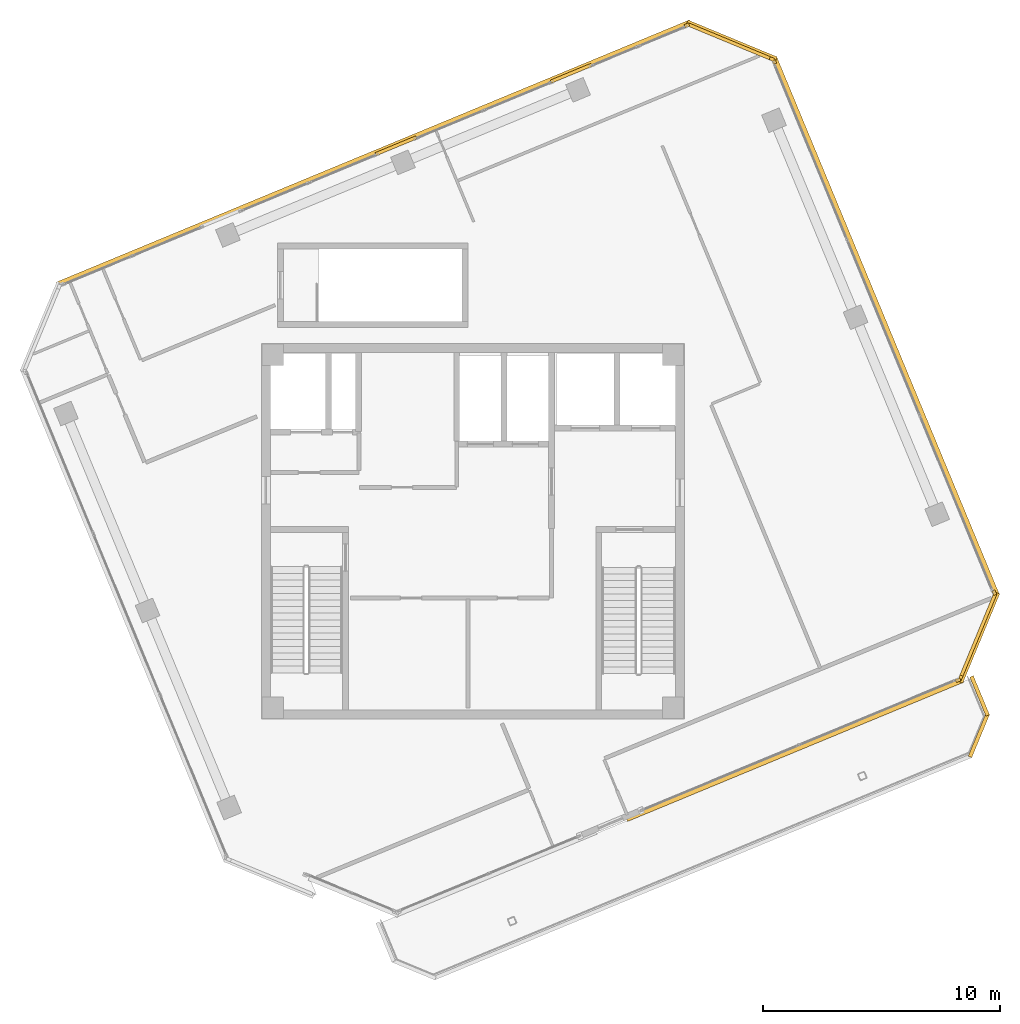
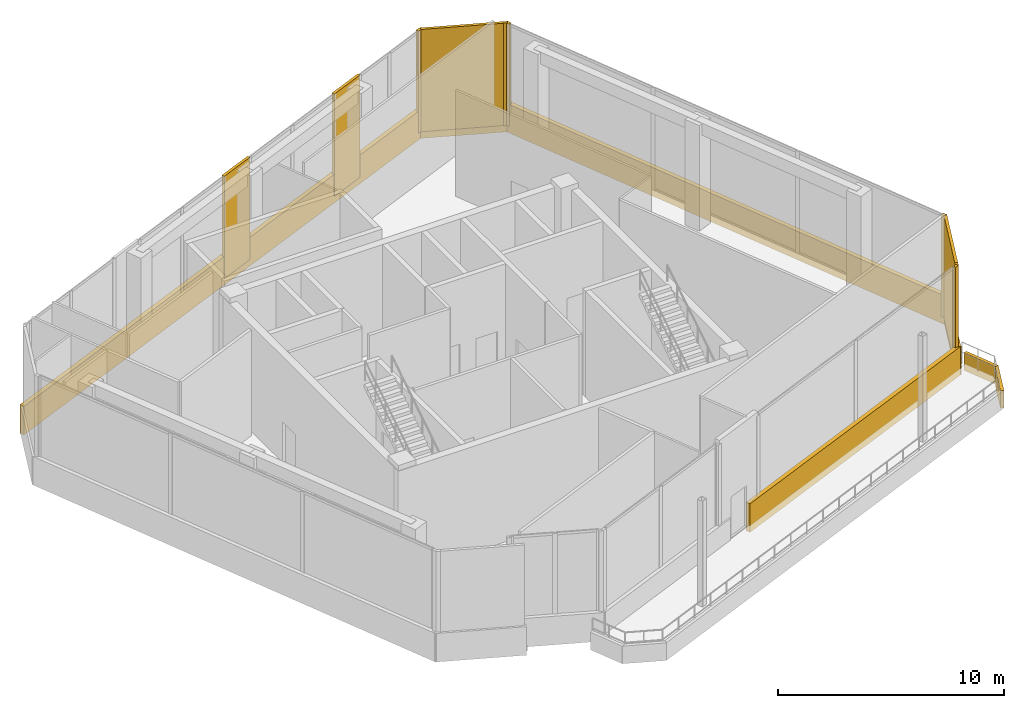
# One storey, part 16 of 16: 17 coverings.
"""IFC4 building model written with IfcOpenShell, lengths in metres."""

from ifc_helpers import new_model, si_unit, direction, frame, origin, origin_2d, place, context, subcontext, project, spatial, rectangle, extrude, source, transform, mapped, material, layer, layer_set, type_object, element, save


model = new_model("IFC4")

# Units and contexts
model_context = context("Model", 3, precision=1e-05, world=origin(), true_north=direction((0.0, 1.0)))
body_context = subcontext(model_context, "Body", "Model", "MODEL_VIEW")
ifc_project = project(units=[si_unit("LENGTHUNIT", "METRE"), si_unit("AREAUNIT", "SQUARE_METRE"), si_unit("VOLUMEUNIT", "CUBIC_METRE"), si_unit("PLANEANGLEUNIT", "RADIAN"), si_unit("MASSUNIT", "GRAM", prefix="KILO")], contexts=[model_context])

# Site, building, storey
site_placement = place(None, origin())
site = spatial("IfcSite", under=ifc_project, at=site_placement, CompositionType="ELEMENT")
building_placement = place(site_placement, origin())
building = spatial("IfcBuilding", under=site, at=building_placement, Name="Torre Montelarca", CompositionType="ELEMENT")
storey_placement = place(building_placement, frame((0.0, 0.0, 360.0)))
storey = spatial("IfcBuildingStorey", under=building, at=storey_placement, Name="L81", CompositionType="ELEMENT", Elevation=360.0)

# Coverings
ifc_material = material(Name="Bush-hammered warm white precast concrete C45/55", Category="concrete")
ifc_layer = layer(ifc_material, 0.139892578125, Name="Bush-hammered warm white precast concrete C45/55", Category="concrete")
ifc_layer_set = layer_set([ifc_layer], Name="Bush-hammered warm white precast concrete C45/55")
covering_type = type_object("IfcCoveringType", Name="COV-TRAY-CLAD", PredefinedType="CLADDING", material=ifc_layer_set)
shared_shape_1 = source(origin(), body_context, "Body", "SweptSolid", [
    extrude(rectangle(XDim=0.199951171875, YDim=0.139892578125, at=origin_2d()), origin(), (0.0, 0.0, 1.0), 5.52001953125),
])
for number, where, z_axis, x_axis, name in (
    (1, (38.48388671875, 25.710693359375, 0.0), (0.0, 0.0, 1.0), (0.923878196688, 0.382686657311, 0.0), "L81 Architectural Column Pier Cladding E06-2"),
    (2, (38.58642578125, 25.8134765625, 0.0), (0.0, 0.0, 1.0), (0.382681819891, 0.923880200418, 0.0), "L81 Architectural Column Pier Cladding E07-1"),
    (3, (40.01318359375, 29.40283203125, 0.0), (0.0, 0.0, 1.0), (-0.382681819891, 0.923880200418, 0.0), "L81 Architectural Column Pier Cladding E08-1"),
    (4, (30.72607421875, 51.82373046875, 0.0), (0.0, 0.0, 1.0), (-0.382681819891, 0.923880200418, 0.0), "L81 Architectural Column Pier Cladding E08-2"),
    (5, (30.623291015625, 51.926513671875, 0.0), (0.0, 0.0, 1.0), (-0.923884207802, 0.382672145019, 0.0), "L81 Architectural Column Pier Cladding E09-1"),
    (6, (27.033935546875, 53.35302734375, 0.0), (0.0, 0.0, 1.0), (-0.923878864601, -0.382685044838, 0.0), "L81 Architectural Column Pier Cladding E10-1"),
):
    element("IfcCovering", number, at=place(storey_placement, frame(where, z_axis=z_axis, x_axis=x_axis)), inside=storey, type_object=covering_type, Name=name, PredefinedType="CLADDING", context=body_context, shape_type="MappedRepresentation", body=[
        mapped(shared_shape_1, transform((0.0, 0.0, 0.0), scale=1.0)),
    ])
shared_shape_2 = source(origin(), body_context, "Body", "SweptSolid", [
    extrude(rectangle(XDim=3.828125, YDim=0.139892578125, at=origin_2d()), origin(), (0.0, 0.0, 1.0), 5.52001953125),
])
covering_1_placement = place(storey_placement, frame((28.85498046875, 52.658935546875, 0.0), z_axis=(0.0, 0.0, 1.0), x_axis=(-0.923884207802, 0.382672145019, 0.0)))
element("IfcCovering", 7, at=covering_1_placement, inside=storey, type_object=covering_type, Name="L81 Architectural Column Pier Cladding E09-2", PredefinedType="CLADDING", context=body_context, shape_type="MappedRepresentation", body=[
    mapped(shared_shape_2, transform((0.0, 0.0, 0.0), scale=1.0)),
])
shared_shape_3 = source(origin(), body_context, "Body", "SweptSolid", [
    extrude(rectangle(XDim=3.827880859375, YDim=0.139892578125, at=origin_2d()), origin(), (0.0, 0.0, 1.0), 5.52001953125),
])
covering_2_placement = place(storey_placement, frame((39.31884765625, 27.581787109375, 0.0), z_axis=(0.0, 0.0, 1.0), x_axis=(0.382681819891, 0.923880200418, 0.0)))
element("IfcCovering", 8, at=covering_2_placement, inside=storey, type_object=covering_type, Name="L81 Architectural Column Pier Cladding E07-2", PredefinedType="CLADDING", context=body_context, shape_type="MappedRepresentation", body=[
    mapped(shared_shape_3, transform((0.0, 0.0, 0.0), scale=1.0)),
])
shared_shape_4 = source(origin(), body_context, "Body", "SweptSolid", [
    extrude(rectangle(XDim=1.860107421875, YDim=0.139892578125, at=origin_2d()), origin(), (0.0, 0.0, 1.0), 5.52001953125),
])
for number, where, z_axis, x_axis, name in (
    (9, (22.152099609375, 51.330810546875, 0.0), (0.0, 0.0, 1.0), (-0.923878864601, -0.382685044838, 0.0), "L81 Architectural Column Pier Cladding E10-2"),
    (10, (14.760986328125, 48.26953125, 0.0), (0.0, 0.0, 1.0), (-0.923878864601, -0.382685044838, 0.0), "L81 Architectural Column Pier Cladding E10-3"),
):
    element("IfcCovering", number, at=place(storey_placement, frame(where, z_axis=z_axis, x_axis=x_axis)), inside=storey, type_object=covering_type, Name=name, PredefinedType="CLADDING", context=body_context, shape_type="MappedRepresentation", body=[
        mapped(shared_shape_4, transform((0.0, 0.0, 0.0), scale=1.0)),
    ])
shared_shape_5 = source(origin(), body_context, "Body", "SweptSolid", [
    extrude(rectangle(XDim=4.079833984375, YDim=0.219970703125, at=origin_2d()), origin(), (0.0, 0.0, 1.0), 1.5400390625),
])
covering_3_placement = place(storey_placement, frame((28.92431640625, 52.6953125, -0.3701171875), z_axis=(0.0, 0.0, 1.0), x_axis=(-0.92388487569, 0.382670532536, 0.0)))
element("IfcCovering", 11, at=covering_3_placement, inside=storey, type_object=covering_type, Name="L81 Architectural White Spandrel Tray Band OBSRING-09", PredefinedType="CLADDING", context=body_context, shape_type="MappedRepresentation", body=[
    mapped(shared_shape_5, transform((0.0, 0.0, 0.0), scale=1.0)),
])
shared_shape_6 = source(origin(), body_context, "Body", "SweptSolid", [
    extrude(rectangle(XDim=15.343994140625, YDim=0.219970703125, at=origin_2d()), origin(), (0.0, 0.0, 1.0), 1.5400390625),
])
covering_4_placement = place(storey_placement, frame((31.581298828125, 22.78662109375, -0.3701171875), z_axis=(0.0, 0.0, 1.0), x_axis=(0.923878864601, 0.382685044838, 0.0)))
element("IfcCovering", 12, at=covering_4_placement, inside=storey, type_object=covering_type, Name="L81 Architectural White Spandrel Tray Band OBSRING-06B", PredefinedType="CLADDING", context=body_context, shape_type="MappedRepresentation", body=[
    mapped(shared_shape_6, transform((0.0, 0.0, 0.0), scale=1.0)),
])
shared_shape_7 = source(origin(), body_context, "Body", "SweptSolid", [
    extrude(rectangle(XDim=4.07958984375, YDim=0.219970703125, at=origin_2d()), origin(), (0.0, 0.0, 1.0), 1.5400390625),
])
covering_5_placement = place(storey_placement, frame((39.355224609375, 27.512451171875, -0.3701171875), z_axis=(0.0, 0.0, 1.0), x_axis=(0.382680207415, 0.923880868323, 0.0)))
element("IfcCovering", 13, at=covering_5_placement, inside=storey, type_object=covering_type, Name="L81 Architectural White Spandrel Tray Band OBSRING-07", PredefinedType="CLADDING", context=body_context, shape_type="MappedRepresentation", body=[
    mapped(shared_shape_7, transform((0.0, 0.0, 0.0), scale=1.0)),
])
shared_shape_8 = source(origin(), body_context, "Body", "SweptSolid", [
    extrude(rectangle(XDim=24.6201171875, YDim=0.219970703125, at=origin_2d()), origin(), (0.0, 0.0, 1.0), 1.5400390625),
])
covering_6_placement = place(storey_placement, frame((35.425048828125, 40.63623046875, -0.3701171875), z_axis=(0.0, 0.0, 1.0), x_axis=(-0.382681819891, 0.923880200418, 0.0)))
element("IfcCovering", 14, at=covering_6_placement, inside=storey, type_object=covering_type, Name="L81 Architectural White Spandrel Tray Band OBSRING-08", PredefinedType="CLADDING", context=body_context, shape_type="MappedRepresentation", body=[
    mapped(shared_shape_8, transform((0.0, 0.0, 0.0), scale=1.0)),
])
shared_shape_9 = source(origin(), body_context, "Body", "SweptSolid", [
    extrude(rectangle(XDim=28.919921875, YDim=0.219970703125, at=origin_2d()), origin(), (0.0, 0.0, 1.0), 1.5400390625),
])
covering_7_placement = place(storey_placement, frame((13.814208984375, 47.942138671875, -0.3701171875), z_axis=(0.0, 0.0, 1.0), x_axis=(-0.923878864601, -0.382685044838, 0.0)))
element("IfcCovering", 15, at=covering_7_placement, inside=storey, type_object=covering_type, Name="L81 Architectural White Spandrel Tray Band OBSRING-10", PredefinedType="CLADDING", context=body_context, shape_type="MappedRepresentation", body=[
    mapped(shared_shape_9, transform((0.0, 0.0, 0.0), scale=1.0)),
])
shared_shape_10 = source(origin(), body_context, "Body", "SweptSolid", [
    extrude(rectangle(XDim=1.95849609375, YDim=0.159912109375, at=origin_2d()), origin(), (0.0, 0.0, 1.0), 0.949951171875),
])
covering_8_placement = place(storey_placement, frame((39.3583984375, 23.37841796875, -0.375), z_axis=(0.0, 0.0, 1.0), x_axis=(0.382710844254, 0.923868177659, 0.0)))
element("IfcCovering", 16, at=covering_8_placement, inside=storey, type_object=covering_type, Name="L81 Architectural White Spandrel Tray Band OBSTER1-04", PredefinedType="CLADDING", context=body_context, shape_type="MappedRepresentation", body=[
    mapped(shared_shape_10, transform((0.0, 0.0, 0.0), scale=1.0)),
])
shared_shape_11 = source(origin(), body_context, "Body", "SweptSolid", [
    extrude(rectangle(XDim=1.780029296875, YDim=0.159912109375, at=origin_2d()), origin(), (0.0, 0.0, 1.0), 0.949951171875),
])
covering_9_placement = place(storey_placement, frame((39.392333984375, 25.0478515625, -0.375), z_axis=(0.0, 0.0, 1.0), x_axis=(-0.382694719654, 0.923874857082, 0.0)))
element("IfcCovering", 17, at=covering_9_placement, inside=storey, type_object=covering_type, Name="L81 Architectural White Spandrel Tray Band OBSTER1-05", PredefinedType="CLADDING", context=body_context, shape_type="MappedRepresentation", body=[
    mapped(shared_shape_11, transform((0.0, 0.0, 0.0), scale=1.0)),
])

save(model, "model.ifc")
